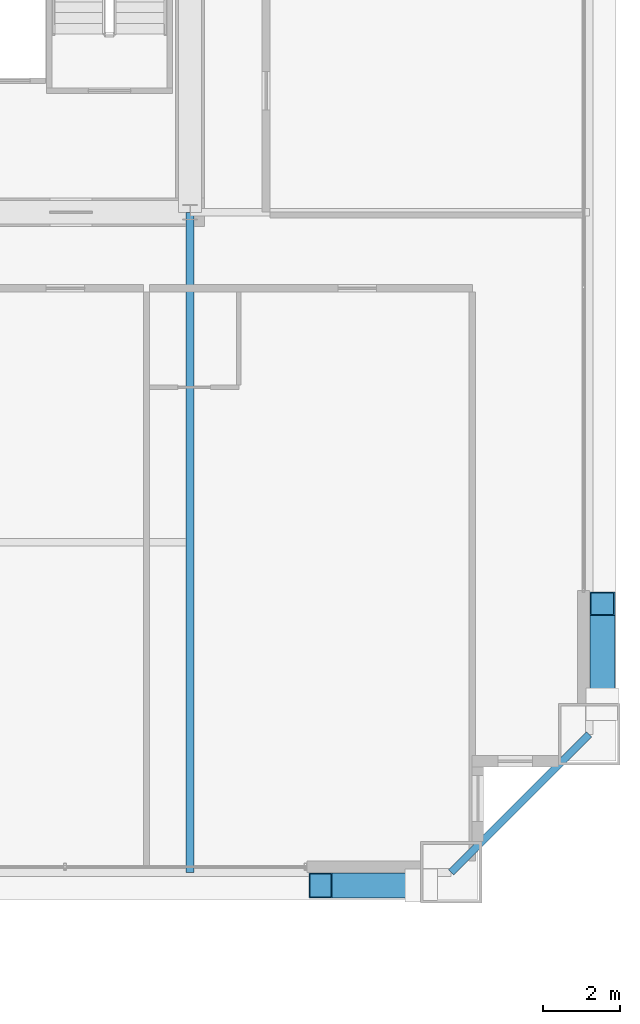
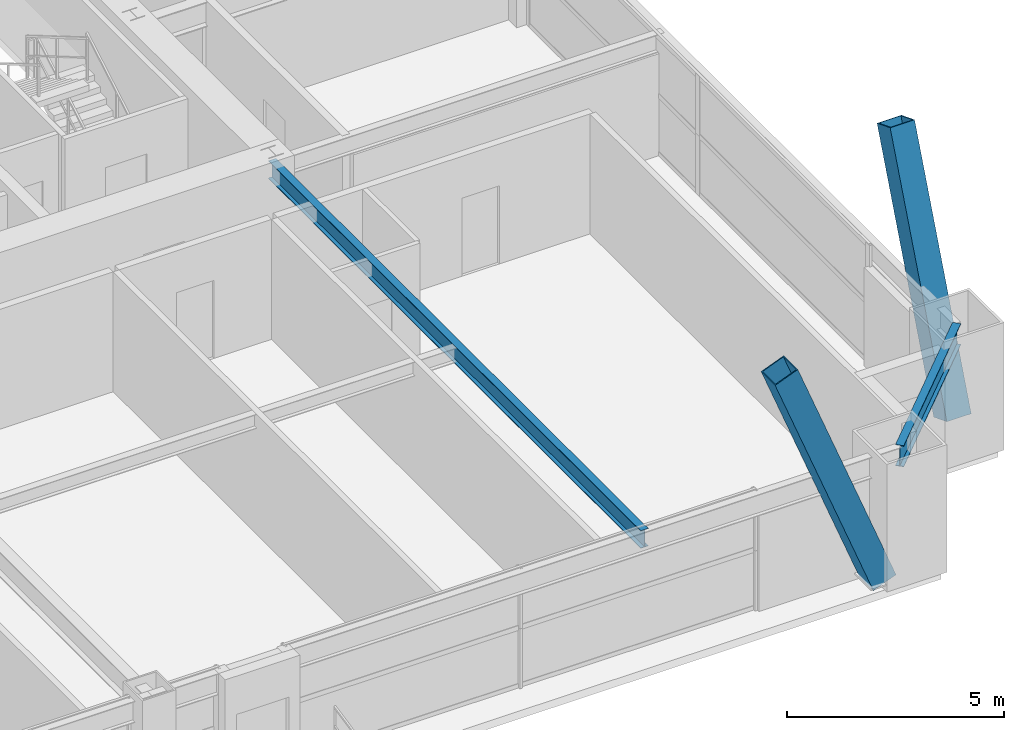
# One storey, part 16 of 42: 2 beams, 2 members.
"""IFC4 building model written with IfcOpenShell, lengths in metres."""

from ifc_helpers import new_model, si_unit, direction, frame, origin, origin_2d, place, context, subcontext, project, spatial, hollow_rectangle, i_section, extrude, source, transform, mapped, material, material_profile, profile_set, type_object, element, save


model = new_model("IFC4")

# Units and contexts
model_context = context("Model", 3, precision=1e-05, world=origin(), true_north=direction((0.0, 1.0)))
body_context = subcontext(model_context, "Body", "Model", "MODEL_VIEW")
ifc_project = project(units=[si_unit("LENGTHUNIT", "METRE"), si_unit("AREAUNIT", "SQUARE_METRE"), si_unit("VOLUMEUNIT", "CUBIC_METRE"), si_unit("PLANEANGLEUNIT", "RADIAN"), si_unit("MASSUNIT", "GRAM", prefix="KILO"), si_unit("THERMODYNAMICTEMPERATUREUNIT", "KELVIN"), si_unit("POWERUNIT", "WATT")], contexts=[model_context])

# Site, building, storey
site_placement = place(None, origin())
site = spatial("IfcSite", under=ifc_project, at=site_placement, CompositionType="ELEMENT")
building_placement = place(site_placement, origin())
building = spatial("IfcBuilding", under=site, at=building_placement, Name="Yuzanri Waterfront Tower", CompositionType="ELEMENT")
storey_placement = place(building_placement, frame((0.0, 0.0, 145.199951171875)))
storey = spatial("IfcBuildingStorey", under=building, at=storey_placement, Name="L38", CompositionType="ELEMENT", Elevation=145.199951171875)

# Beams
ifc_material_1 = material(Name="Steel Q355B", Category="steel")
ifc_material_profile_1 = material_profile(ifc_material_1, i_section(OverallWidth=0.199951171875, OverallDepth=0.60009765625, WebThickness=0.010986328125, FlangeThickness=0.01708984375, at=origin_2d()), Name="HN 600x200x11x17")
ifc_profile_set_1 = profile_set([ifc_material_profile_1], Name="Steel Q355B")
beam_type_1 = type_object("IfcBeamType", Name="Perimeter Spandrel Q355B HN 600x200", PredefinedType="SPANDREL", material=ifc_profile_set_1)
shared_shape_1 = source(origin(), body_context, "Body", "SweptSolid", [
    extrude(i_section(OverallWidth=0.199951171875, OverallDepth=0.60009765625, WebThickness=0.010986328125, FlangeThickness=0.01708984375, at=origin_2d()), origin(), (0.0, 0.0, 1.0), 5.09130859375),
])
beam_1_placement = place(storey_placement, frame((57.0, 2.199951171875, 3.080078125), z_axis=(0.707106781187, 0.707106781187, 0.0), x_axis=(-0.707106781187, 0.707106781187, 0.0)))
element("IfcBeam", 1, at=beam_1_placement, inside=storey, type_object=beam_type_1, Name="L38 Perimeter Spandrel S3-E1", PredefinedType="SPANDREL", context=body_context, shape_type="MappedRepresentation", body=[
    mapped(shared_shape_1, transform((0.0, 0.0, 0.0), scale=1.0)),
])
ifc_material_2 = material(Name="Steel Q355B", Category="steel")
ifc_material_profile_2 = material_profile(ifc_material_2, i_section(OverallWidth=0.199951171875, OverallDepth=0.5, WebThickness=0.010009765625, FlangeThickness=0.01611328125, at=origin_2d()), Name="HN 500x200x10x16")
ifc_profile_set_2 = profile_set([ifc_material_profile_2], Name="Steel Q355B")
beam_type_2 = type_object("IfcBeamType", Name="Secondary Floor Beam Q355B HN 500x200", PredefinedType="BEAM", material=ifc_profile_set_2)
shared_shape_2 = source(origin(), body_context, "Body", "SweptSolid", [
    extrude(i_section(OverallWidth=0.199951171875, OverallDepth=0.5, WebThickness=0.010009765625, FlangeThickness=0.01611328125, at=origin_2d()), origin(), (0.0, 0.0, 1.0), 17.199951171875),
])
beam_2_placement = place(storey_placement, frame((50.199951171875, 19.39990234375, 3.130126953125), z_axis=(0.0, -1.0, 0.0), x_axis=(1.0, 0.0, 0.0)))
element("IfcBeam", 2, at=beam_2_placement, inside=storey, type_object=beam_type_2, Name="L38 South-East Core Line Beam", PredefinedType="BEAM", context=body_context, shape_type="MappedRepresentation", body=[
    mapped(shared_shape_2, transform((0.0, 0.0, 0.0), scale=1.0)),
])

# Members
ifc_material_3 = material(Name="Steel Q420GJC", Category="steel")
ifc_material_profile_3 = material_profile(ifc_material_3, hollow_rectangle(XDim=0.64990234375, YDim=0.64990234375, WallThickness=0.028076171875, at=origin_2d()), Name="RHS 650x650x28")
ifc_profile_set_3 = profile_set([ifc_material_profile_3], Name="Steel Q420GJC")
member_type = type_object("IfcMemberType", Name="Mega Brace Lower Q420GJC RHS 650x650x28", PredefinedType="BRACE", material=ifc_profile_set_3)
shared_shape_3 = source(origin(), body_context, "Body", "SweptSolid", [
    extrude(hollow_rectangle(XDim=0.64990234375, YDim=0.64990234375, WallThickness=0.028076171875, at=origin_2d()), origin(), (0.0, 0.0, 1.0), 7.194091796875),
])
for number, where, z_axis, x_axis, name in (
    (3, (56.219970703125, 1.860107421875, 0.179931640625), (-0.36416517997, 0.0, 0.931334376955), (0.0, -1.0, 0.0), "L38-L39 Perimeter Mega-Brace S-R"),
    (4, (60.93994140625, 6.580078125, 0.179931640625), (0.0, 0.36416517997, 0.931334376955), (-1.0, 0.0, 0.0), "L38-L39 Perimeter Mega-Brace E-L"),
):
    element("IfcMember", number, at=place(storey_placement, frame(where, z_axis=z_axis, x_axis=x_axis)), inside=storey, type_object=member_type, Name=name, PredefinedType="BRACE", context=body_context, shape_type="MappedRepresentation", body=[
        mapped(shared_shape_3, transform((0.0, 0.0, 0.0), scale=1.0)),
    ])

save(model, "model.ifc")
